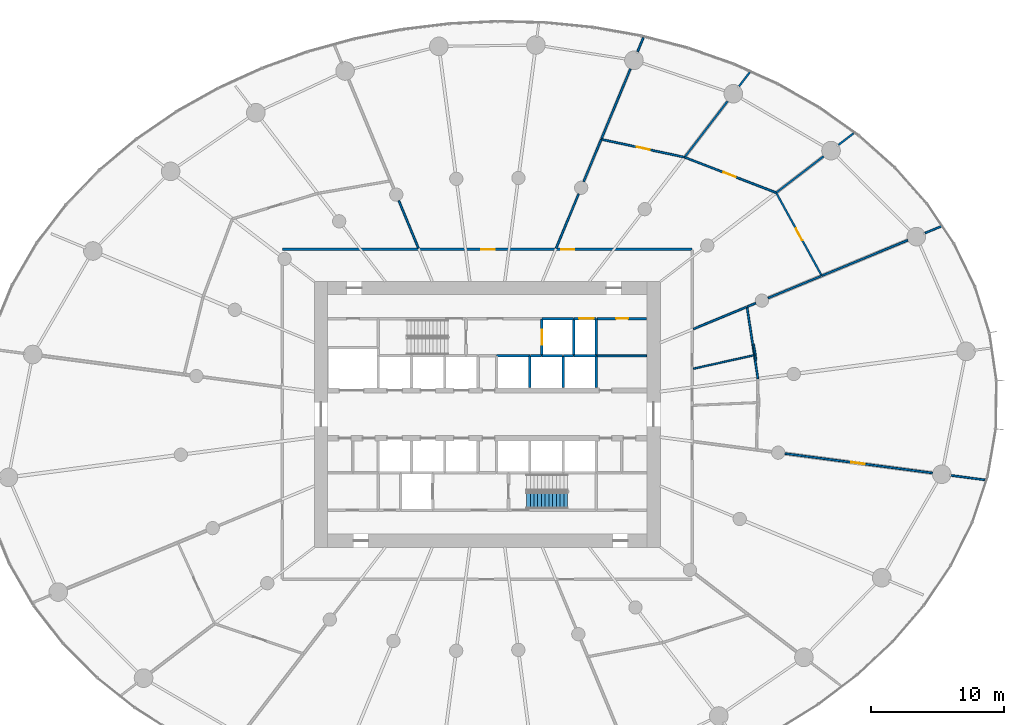
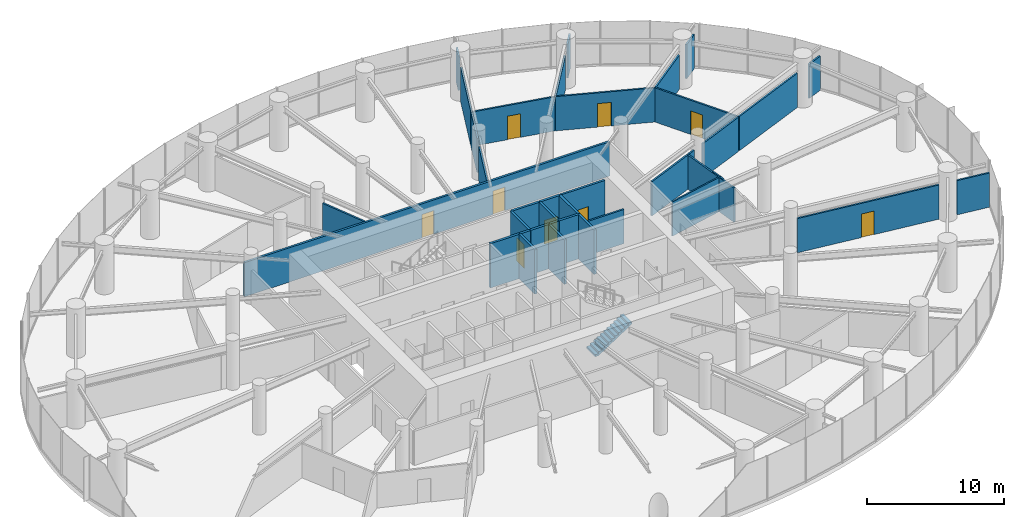
# One storey, part 15 of 19: 39 walls, 9 doors, 1 stair flight, 9 openings, 1 element without a shape of its own.
"""IFC4 building model written with IfcOpenShell, lengths in metres."""

from ifc_helpers import new_model, si_unit, direction, frame, frame_2d, origin, place, context, subcontext, project, spatial, line, indexed_curve, rectangle, outline, extrude, source, transform, mapped, material, layer, layer_set, type_object, element, fill, aggregate, save


model = new_model("IFC4")

# Units and contexts
model_context = context("Model", 3, precision=1e-05, world=origin(), true_north=direction((0.0, 1.0)))
body_context = subcontext(model_context, "Body", "Model", "MODEL_VIEW")
ifc_project = project(units=[si_unit("LENGTHUNIT", "METRE"), si_unit("AREAUNIT", "SQUARE_METRE"), si_unit("VOLUMEUNIT", "CUBIC_METRE"), si_unit("PLANEANGLEUNIT", "RADIAN"), si_unit("MASSUNIT", "GRAM", prefix="KILO")], contexts=[model_context])

# Site, building, storey
site_placement = place(None, origin())
site = spatial("IfcSite", under=ifc_project, at=site_placement, CompositionType="ELEMENT")
building_placement = place(site_placement, origin())
building = spatial("IfcBuilding", under=site, at=building_placement, Name="Spindrift Exchange Tower", CompositionType="ELEMENT")
storey_placement = place(building_placement, frame((0.0, 0.0, 31.39990234375)))
storey = spatial("IfcBuildingStorey", under=building, at=storey_placement, Name="L07", CompositionType="ELEMENT", Elevation=31.39990234375)

# Wall, opening, door
ifc_material_1 = material(Name="Fire-rated plasterboard partition", Category="gypsum")
ifc_layer_1 = layer(ifc_material_1, 0.179931640625)
ifc_layer_set_1 = layer_set([ifc_layer_1], Name="W-CORR-180")
wall_type_1 = type_object("IfcWallType", Name="W-CORR-180", PredefinedType="PARTITIONING", material=ifc_layer_set_1)
wall_1_placement = place(storey_placement, frame((63.97998046875, 55.199951171875, 0.0), z_axis=(0.0, 0.0, 1.0), x_axis=(-1.0, 0.0, 0.0)))
wall_1 = element("IfcWall", 1, at=wall_1_placement, inside=storey, type_object=wall_type_1, Name="L07 Partition wall 64", PredefinedType="PARTITIONING", context=body_context, shape_type="SweptSolid", body=[
    extrude(rectangle(XDim=3.75, YDim=0.179931640625, at=frame_2d((1.875, 0.0))), origin(), (0.0, 0.0, 1.0), 3.9501953125),
])
opening_1_placement = place(wall_1_placement, frame((1.39990234375, 0.0, 0.0)))
opening_1 = element("IfcOpeningElement", 2, at=opening_1_placement, cuts=wall_1, Name="Opening L07-D48", PredefinedType="OPENING", context=body_context, shape_type="SweptSolid", body=[
    extrude(rectangle(XDim=0.89990234375, YDim=2.10009765625, at=frame_2d((0.449951171875, 1.050048828125))), frame((0.0, 0.099853515625, 0.0), z_axis=(0.0, -1.0, 0.0), x_axis=(1.0, 0.0, 0.0)), (0.0, 0.0, 1.0), 0.199951171875),
])
ifc_material_2 = material(Name="Steel access door", Category="steel")
door_type_1 = type_object("IfcDoorType", Name="DR-RISER-900", OperationType="NOTDEFINED", PredefinedType="DOOR", material=ifc_material_2)
shared_shape_1 = source(origin(), body_context, "Body", "SweptSolid", [
    extrude(rectangle(XDim=0.89990234375, YDim=2.10009765625, at=frame_2d((0.449951171875, 1.050048828125))), frame((0.0, 0.02490234375, 0.0), z_axis=(0.0, -1.0, 0.0), x_axis=(1.0, 0.0, 0.0)), (0.0, 0.0, 1.0), 0.050048828125),
])
door_1_placement = place(opening_1_placement, origin())
door_1 = element("IfcDoor", 3, at=door_1_placement, inside=storey, type_object=door_type_1, Name="L07 Riser door 48", OperationType="SINGLE_SWING_RIGHT", OverallHeight=2.10009765625, OverallWidth=0.89990234375, PredefinedType="DOOR", context=body_context, shape_type="MappedRepresentation", body=[
    mapped(shared_shape_1, transform((0.0, 0.0, 0.0), scale=1.0)),
])
fill(opening_1, door_1)

ifc_layer_2 = layer(ifc_material_1, 0.139892578125)
ifc_layer_set_2 = layer_set([ifc_layer_2], Name="W-PART-140")
wall_type_2 = type_object("IfcWallType", Name="W-PART-140", PredefinedType="PARTITIONING", material=ifc_layer_set_2)
wall_2_placement = place(storey_placement, frame((74.36328125, 45.055908203125, 0.0), z_axis=(0.0, 0.0, 1.0), x_axis=(0.991443306772, -0.130538000051, 0.0)))
wall_2 = element("IfcWall", 4, at=wall_2_placement, inside=storey, type_object=wall_type_2, Name="L07 Partition wall 65", PredefinedType="PARTITIONING", context=body_context, shape_type="SweptSolid", body=[
    extrude(rectangle(XDim=11.1953125, YDim=0.139892578125, at=frame_2d((5.59765625, 0.0))), origin(), (0.0, 0.0, 1.0), 3.050048828125),
])
opening_2_placement = place(wall_2_placement, frame((5.050048828125, 0.0, 0.0)))
opening_2 = element("IfcOpeningElement", 5, at=opening_2_placement, cuts=wall_2, Name="Opening L07-D31", PredefinedType="OPENING", context=body_context, shape_type="SweptSolid", body=[
    extrude(rectangle(XDim=1.0, YDim=2.10009765625, at=frame_2d((0.5, 1.050048828125))), frame((0.0, 0.079833984375, 0.0), z_axis=(0.0, -1.0, 0.0), x_axis=(1.0, 0.0, 0.0)), (0.0, 0.0, 1.0), 0.159912109375),
])
ifc_material_3 = material(Name="Timber-core fire door", Category="wood")
door_type_2 = type_object("IfcDoorType", Name="DR-ROOM-1000", OperationType="NOTDEFINED", PredefinedType="DOOR", material=ifc_material_3)
shared_shape_2 = source(origin(), body_context, "Body", "SweptSolid", [
    extrude(rectangle(XDim=1.0, YDim=2.10009765625, at=frame_2d((0.5, 1.050048828125))), frame((0.0, 0.02490234375, 0.0), z_axis=(0.0, -1.0, 0.0), x_axis=(1.0, 0.0, 0.0)), (0.0, 0.0, 1.0), 0.050048828125),
])
door_2_placement = place(opening_2_placement, origin())
door_2 = element("IfcDoor", 6, at=door_2_placement, inside=storey, type_object=door_type_2, Name="L07 Door 31", OperationType="SINGLE_SWING_LEFT", OverallHeight=2.10009765625, OverallWidth=1.0, PredefinedType="DOOR", context=body_context, shape_type="MappedRepresentation", body=[
    mapped(shared_shape_2, transform((0.0, 0.0, 0.0), scale=1.0)),
])
fill(opening_2, door_2)

# Walls
wall_3_placement = place(storey_placement, frame((77.168212890625, 58.425048828125, 0.0), z_axis=(0.0, 0.0, 1.0), x_axis=(0.923883429162, 0.382674024883, 0.0)))
element("IfcWall", 7, at=wall_3_placement, inside=storey, type_object=wall_type_2, Name="L07 Partition wall 74", PredefinedType="PARTITIONING", context=body_context, shape_type="SweptSolid", body=[
    extrude(rectangle(XDim=6.959228515625, YDim=0.139892578125, at=frame_2d((3.4794921875, 0.0))), origin(), (0.0, 0.0, 1.0), 3.050048828125),
])
wall_4_placement = place(storey_placement, frame((60.5908203125, 68.739990234375, 0.0), z_axis=(0.0, 0.0, 1.0), x_axis=(0.382657084758, 0.923890445607, 0.0)))
element("IfcWall", 8, at=wall_4_placement, inside=storey, type_object=wall_type_2, Name="L07 Partition wall 83", PredefinedType="PARTITIONING", context=body_context, shape_type="SweptSolid", body=[
    extrude(rectangle(XDim=5.650146484375, YDim=0.139892578125, at=frame_2d((2.8251953125, 0.0))), origin(), (0.0, 0.0, 1.0), 3.050048828125),
])
wall_5_placement = place(storey_placement, frame((72.340576171875, 50.677978515625, 0.0), z_axis=(0.0, 0.0, 1.0), x_axis=(-0.149839757117, 0.988710294873, 0.0)))
element("IfcWall", 9, at=wall_5_placement, inside=storey, type_object=wall_type_2, Name="L07 Partition wall 86", PredefinedType="PARTITIONING", context=body_context, shape_type="SweptSolid", body=[
    extrude(rectangle(XDim=5.4697265625, YDim=0.139892578125, at=frame_2d((2.73486328125, 0.0))), origin(), (0.0, 0.0, 1.0), 3.050048828125),
])
wall_6_placement = place(storey_placement, frame((66.873779296875, 67.3837890625, 0.0), z_axis=(0.0, 0.0, 1.0), x_axis=(0.608760140139, 0.793354329274, 0.0)))
element("IfcWall", 10, at=wall_6_placement, inside=storey, type_object=wall_type_2, Name="L07 Partition wall 88", PredefinedType="PARTITIONING", context=body_context, shape_type="SweptSolid", body=[
    extrude(rectangle(XDim=5.239990234375, YDim=0.139892578125, at=frame_2d((2.6201171875, 0.0))), origin(), (0.0, 0.0, 1.0), 3.050048828125),
])
wall_7_placement = place(storey_placement, frame((73.735595703125, 64.678466796875, 0.0), z_axis=(0.0, 0.0, 1.0), x_axis=(0.793381815568, 0.608724317508, 0.0)))
element("IfcWall", 11, at=wall_7_placement, inside=storey, type_object=wall_type_2, Name="L07 Partition wall 94", PredefinedType="PARTITIONING", context=body_context, shape_type="SweptSolid", body=[
    extrude(rectangle(XDim=4.46337890625, YDim=0.139892578125, at=frame_2d((2.231689453125, 0.0))), origin(), (0.0, 0.0, 1.0), 3.050048828125),
])
wall_8_placement = place(storey_placement, frame((63.97998046875, 52.39990234375, 0.0), z_axis=(0.0, 0.0, 1.0), x_axis=(-1.0, 0.0, 0.0)))
element("IfcWall", 12, at=wall_8_placement, inside=storey, type_object=wall_type_2, Name="L07 Partition wall 99", PredefinedType="PARTITIONING", context=body_context, shape_type="SweptSolid", body=[
    extrude(rectangle(XDim=3.75, YDim=0.139892578125, at=frame_2d((1.875, 0.0))), origin(), (0.0, 0.0, 1.0), 3.050048828125),
])
wall_9_placement = place(storey_placement, frame((86.859375, 43.41064453125, 0.0), z_axis=(0.0, 0.0, 1.0), x_axis=(0.991441410766, -0.130552399509, 0.0)))
element("IfcWall", 13, at=wall_9_placement, inside=storey, type_object=wall_type_2, Name="L07 Partition wall 105", PredefinedType="PARTITIONING", context=body_context, shape_type="SweptSolid", body=[
    extrude(rectangle(XDim=2.58056640625, YDim=0.139892578125, at=frame_2d((1.290283203125, 0.0))), origin(), (0.0, 0.0, 1.0), 3.050048828125),
])
wall_10_placement = place(storey_placement, frame((78.394287109375, 68.253173828125, 0.0), z_axis=(0.0, 0.0, 1.0), x_axis=(0.793328341426, 0.608794006779, 0.0)))
element("IfcWall", 14, at=wall_10_placement, inside=storey, type_object=wall_type_2, Name="L07 Partition wall 113", PredefinedType="PARTITIONING", context=body_context, shape_type="SweptSolid", body=[
    extrude(rectangle(XDim=1.442138671875, YDim=0.139892578125, at=frame_2d((0.72119140625, 0.0))), origin(), (0.0, 0.0, 1.0), 3.050048828125),
])
wall_11_placement = place(storey_placement, frame((70.9208984375, 72.658447265625, 0.0), z_axis=(0.0, 0.0, 1.0), x_axis=(0.608845512284, 0.793288813845, 0.0)))
element("IfcWall", 15, at=wall_11_placement, inside=storey, type_object=wall_type_2, Name="L07 Partition wall 117", PredefinedType="PARTITIONING", context=body_context, shape_type="SweptSolid", body=[
    extrude(rectangle(XDim=1.3369140625, YDim=0.139892578125, at=frame_2d((0.66845703125, 0.0))), origin(), (0.0, 0.0, 1.0), 3.050048828125),
])
wall_12_placement = place(storey_placement, frame((84.900146484375, 61.627685546875, 0.0), z_axis=(0.0, 0.0, 1.0), x_axis=(0.923887406181, 0.382664423091, 0.0)))
element("IfcWall", 16, at=wall_12_placement, inside=storey, type_object=wall_type_2, Name="L07 Partition wall 121", PredefinedType="PARTITIONING", context=body_context, shape_type="SweptSolid", body=[
    extrude(rectangle(XDim=1.33349609375, YDim=0.139892578125, at=frame_2d((0.666748046875, 0.0))), origin(), (0.0, 0.0, 1.0), 3.050048828125),
])
wall_13_placement = place(storey_placement, frame((63.29248046875, 75.2626953125, 0.0), z_axis=(0.0, 0.0, 1.0), x_axis=(0.382813709002, 0.9238255594, 0.0)))
element("IfcWall", 17, at=wall_13_placement, inside=storey, type_object=wall_type_2, Name="L07 Partition wall 122", PredefinedType="PARTITIONING", context=body_context, shape_type="SweptSolid", body=[
    extrude(rectangle(XDim=1.1357421875, YDim=0.139892578125, at=frame_2d((0.56787109375, 0.0))), origin(), (0.0, 0.0, 1.0), 3.050048828125),
])

# Wall, opening, door
ifc_layer_3 = layer(ifc_material_1, 0.139892578125)
ifc_layer_set_3 = layer_set([ifc_layer_3], Name="W-PLANT-140")
wall_type_3 = type_object("IfcWallType", Name="W-PLANT-140", PredefinedType="PARTITIONING", material=ifc_layer_set_3)
wall_14_placement = place(storey_placement, frame((66.829345703125, 67.325927734375, 0.0), z_axis=(0.0, 0.0, 1.0), x_axis=(0.932497314738, -0.361176906801, 0.0)))
wall_14 = element("IfcWall", 18, at=wall_14_placement, inside=storey, type_object=wall_type_3, Name="L07 Partition wall 70", PredefinedType="PARTITIONING", context=body_context, shape_type="SweptSolid", body=[
    extrude(rectangle(XDim=7.380859375, YDim=0.139892578125, at=frame_2d((3.6904296875, 0.0))), origin(), (0.0, 0.0, 1.0), 3.050048828125),
])
opening_3_placement = place(wall_14_placement, frame((3.130859375, 0.0, 0.0)))
opening_3 = element("IfcOpeningElement", 19, at=opening_3_placement, cuts=wall_14, Name="Opening L07-D29", PredefinedType="OPENING", context=body_context, shape_type="SweptSolid", body=[
    extrude(rectangle(XDim=1.0, YDim=2.10009765625, at=frame_2d((0.5, 1.050048828125))), frame((0.0, 0.079833984375, 0.0), z_axis=(0.0, -1.0, 0.0), x_axis=(1.0, 0.0, 0.0)), (0.0, 0.0, 1.0), 0.159912109375),
])
door_3_placement = place(opening_3_placement, origin())
door_3 = element("IfcDoor", 20, at=door_3_placement, inside=storey, type_object=door_type_2, Name="L07 Door 29", OperationType="SINGLE_SWING_LEFT", OverallHeight=2.10009765625, OverallWidth=1.0, PredefinedType="DOOR", context=body_context, shape_type="MappedRepresentation", body=[
    mapped(shared_shape_2, transform((0.0, 0.0, 0.0), scale=1.0)),
])
fill(opening_3, door_3)

wall_15_placement = place(storey_placement, frame((73.726318359375, 64.6337890625, 0.0), z_axis=(0.0, 0.0, 1.0), x_axis=(0.481181569965, -0.876620953848, 0.0)))
wall_15 = element("IfcWall", 21, at=wall_15_placement, inside=storey, type_object=wall_type_3, Name="L07 Partition wall 71", PredefinedType="PARTITIONING", context=body_context, shape_type="SweptSolid", body=[
    extrude(rectangle(XDim=7.095703125, YDim=0.139892578125, at=frame_2d((3.5478515625, 0.0))), origin(), (0.0, 0.0, 1.0), 3.050048828125),
])
opening_4_placement = place(wall_15_placement, frame((3.045654296875, 0.0, 0.0)))
opening_4 = element("IfcOpeningElement", 22, at=opening_4_placement, cuts=wall_15, Name="Opening L07-D28", PredefinedType="OPENING", context=body_context, shape_type="SweptSolid", body=[
    extrude(rectangle(XDim=1.0, YDim=2.10009765625, at=frame_2d((0.5, 1.050048828125))), frame((0.0, 0.079833984375, 0.0), z_axis=(0.0, -1.0, 0.0), x_axis=(1.0, 0.0, 0.0)), (0.0, 0.0, 1.0), 0.159912109375),
])
door_4_placement = place(opening_4_placement, origin())
door_4 = element("IfcDoor", 23, at=door_4_placement, inside=storey, type_object=door_type_2, Name="L07 Door 28", OperationType="SINGLE_SWING_RIGHT", OverallHeight=2.10009765625, OverallWidth=1.0, PredefinedType="DOOR", context=body_context, shape_type="MappedRepresentation", body=[
    mapped(shared_shape_2, transform((0.0, 0.0, 0.0), scale=1.0)),
])
fill(opening_4, door_4)

wall_16_placement = place(storey_placement, frame((60.5634765625, 68.67431640625, 0.0), z_axis=(0.0, 0.0, 1.0), x_axis=(0.977621151311, -0.210373202926, 0.0)))
wall_16 = element("IfcWall", 24, at=wall_16_placement, inside=storey, type_object=wall_type_3, Name="L07 Partition wall 78", PredefinedType="PARTITIONING", context=body_context, shape_type="SweptSolid", body=[
    extrude(rectangle(XDim=6.37939453125, YDim=0.139892578125, at=frame_2d((3.189697265625, 0.0))), origin(), (0.0, 0.0, 1.0), 3.050048828125),
])
opening_5_placement = place(wall_16_placement, frame((2.729248046875, 0.0, 0.0)))
opening_5 = element("IfcOpeningElement", 25, at=opening_5_placement, cuts=wall_16, Name="Opening L07-D30", PredefinedType="OPENING", context=body_context, shape_type="SweptSolid", body=[
    extrude(rectangle(XDim=1.0, YDim=2.10009765625, at=frame_2d((0.5, 1.050048828125))), frame((0.0, 0.079833984375, 0.0), z_axis=(0.0, -1.0, 0.0), x_axis=(1.0, 0.0, 0.0)), (0.0, 0.0, 1.0), 0.159912109375),
])
door_5_placement = place(opening_5_placement, origin())
door_5 = element("IfcDoor", 26, at=door_5_placement, inside=storey, type_object=door_type_2, Name="L07 Door 30", OperationType="SINGLE_SWING_RIGHT", OverallHeight=2.10009765625, OverallWidth=1.0, PredefinedType="DOOR", context=body_context, shape_type="MappedRepresentation", body=[
    mapped(shared_shape_2, transform((0.0, 0.0, 0.0), scale=1.0)),
])
fill(opening_5, door_5)

# Walls
wall_17_placement = place(storey_placement, frame((57.173583984375, 60.489990234375, 0.0), z_axis=(0.0, 0.0, 1.0), x_axis=(0.382672831764, 0.923883923353, 0.0)))
element("IfcWall", 27, at=wall_17_placement, inside=storey, type_object=wall_type_3, Name="L07 Partition wall 93", PredefinedType="PARTITIONING", context=body_context, shape_type="SweptSolid", body=[
    extrude(rectangle(XDim=4.410400390625, YDim=0.139892578125, at=frame_2d((2.205078125, 0.0))), origin(), (0.0, 0.0, 1.0), 3.050048828125),
])
wall_18_placement = place(storey_placement, frame((67.489990234375, 54.416259765625, 0.0), z_axis=(0.0, 0.0, 1.0), x_axis=(0.923879529007, 0.382683440824, 0.0)))
element("IfcWall", 28, at=wall_18_placement, inside=storey, type_object=wall_type_3, Name="L07 Partition wall 95", PredefinedType="PARTITIONING", context=body_context, shape_type="SweptSolid", body=[
    extrude(rectangle(XDim=4.291015625, YDim=0.139892578125, at=frame_2d((2.1455078125, 0.0))), origin(), (0.0, 0.0, 1.0), 3.050048828125),
])
wall_19_placement = place(storey_placement, frame((73.10595703125, 56.7421875, 0.0), z_axis=(0.0, 0.0, 1.0), x_axis=(0.9238617037, 0.382726472086, 0.0)))
element("IfcWall", 29, at=wall_19_placement, inside=storey, type_object=wall_type_3, Name="L07 Partition wall 96", PredefinedType="PARTITIONING", context=body_context, shape_type="SweptSolid", body=[
    extrude(rectangle(XDim=4.296875, YDim=0.139892578125, at=frame_2d((2.1484375, 0.0))), origin(), (0.0, 0.0, 1.0), 3.050048828125),
])
wall_20_placement = place(storey_placement, frame((46.826416015625, 60.489990234375, 0.0), z_axis=(0.0, 0.0, 1.0), x_axis=(-0.382644558062, 0.923895633817, 0.0)))
element("IfcWall", 30, at=wall_20_placement, inside=storey, type_object=wall_type_3, Name="L07 Partition wall 98", PredefinedType="PARTITIONING", context=body_context, shape_type="SweptSolid", body=[
    extrude(rectangle(XDim=3.854248046875, YDim=0.139892578125, at=frame_2d((1.92724609375, 0.0))), origin(), (0.0, 0.0, 1.0), 3.050048828125),
])
wall_21_placement = place(storey_placement, frame((59.247802734375, 65.497802734375, 0.0), z_axis=(0.0, 0.0, 1.0), x_axis=(0.382676564955, 0.923882377056, 0.0)))
element("IfcWall", 31, at=wall_21_placement, inside=storey, type_object=wall_type_3, Name="L07 Partition wall 100", PredefinedType="PARTITIONING", context=body_context, shape_type="SweptSolid", body=[
    extrude(rectangle(XDim=3.408203125, YDim=0.139892578125, at=frame_2d((1.7041015625, 0.0))), origin(), (0.0, 0.0, 1.0), 3.050048828125),
])
wall_22_placement = place(storey_placement, frame((71.548583984375, 56.097412109375, 0.0), z_axis=(0.0, 0.0, 1.0), x_axis=(0.923972786695, 0.382458219219, 0.0)))
element("IfcWall", 32, at=wall_22_placement, inside=storey, type_object=wall_type_3, Name="L07 Partition wall 124", PredefinedType="PARTITIONING", context=body_context, shape_type="SweptSolid", body=[
    extrude(rectangle(XDim=0.67529296875, YDim=0.139892578125, at=frame_2d((0.337646484375, 0.0))), origin(), (0.0, 0.0, 1.0), 3.050048828125),
])

# Wall, openings, doors
ifc_layer_4 = layer(ifc_material_1, 0.179931640625)
ifc_layer_set_4 = layer_set([ifc_layer_4], Name="W-PLANT-180")
wall_type_4 = type_object("IfcWallType", Name="W-PLANT-180", PredefinedType="PARTITIONING", material=ifc_layer_set_4)
wall_23_placement = place(storey_placement, frame((36.60009765625, 60.39990234375, 0.0), z_axis=(0.0, 0.0, 1.0), x_axis=(1.0, 0.0, 0.0)))
wall_23 = element("IfcWall", 33, at=wall_23_placement, inside=storey, type_object=wall_type_4, Name="L07 Partition wall 58", PredefinedType="PARTITIONING", context=body_context, shape_type="SweptSolid", body=[
    extrude(rectangle(XDim=30.7998046875, YDim=0.179931640625, at=frame_2d((15.39990234375, 0.0))), origin(), (0.0, 0.0, 1.0), 3.050048828125),
])
opening_6_placement = place(wall_23_placement, frame((20.949951171875, 0.0, 0.0)))
opening_6 = element("IfcOpeningElement", 34, at=opening_6_placement, cuts=wall_23, Name="Opening L07-D27", PredefinedType="OPENING", context=body_context, shape_type="SweptSolid", body=[
    extrude(rectangle(XDim=1.0, YDim=2.10009765625, at=frame_2d((0.5, 1.050048828125))), frame((0.0, 0.099853515625, 0.0), z_axis=(0.0, -1.0, 0.0), x_axis=(1.0, 0.0, 0.0)), (0.0, 0.0, 1.0), 0.199951171875),
])
opening_7_placement = place(wall_23_placement, frame((14.949951171875, 0.0, 0.0)))
opening_7 = element("IfcOpeningElement", 35, at=opening_7_placement, cuts=wall_23, Name="Opening L07-D32", PredefinedType="OPENING", context=body_context, shape_type="SweptSolid", body=[
    extrude(rectangle(XDim=1.0, YDim=2.10009765625, at=frame_2d((0.5, 1.050048828125))), frame((0.0, 0.099853515625, 0.0), z_axis=(0.0, -1.0, 0.0), x_axis=(1.0, 0.0, 0.0)), (0.0, 0.0, 1.0), 0.199951171875),
])
door_6_placement = place(opening_6_placement, origin())
door_6 = element("IfcDoor", 36, at=door_6_placement, inside=storey, type_object=door_type_2, Name="L07 Door 27", OperationType="SINGLE_SWING_LEFT", OverallHeight=2.10009765625, OverallWidth=1.0, PredefinedType="DOOR", context=body_context, shape_type="MappedRepresentation", body=[
    mapped(shared_shape_2, transform((0.0, 0.0, 0.0), scale=1.0)),
])
fill(opening_6, door_6)
door_7_placement = place(opening_7_placement, origin())
door_7 = element("IfcDoor", 37, at=door_7_placement, inside=storey, type_object=door_type_2, Name="L07 Door 32", OperationType="SINGLE_SWING_RIGHT", OverallHeight=2.10009765625, OverallWidth=1.0, PredefinedType="DOOR", context=body_context, shape_type="MappedRepresentation", body=[
    mapped(shared_shape_2, transform((0.0, 0.0, 0.0), scale=1.0)),
])
fill(opening_7, door_7)

# Wall, opening, door
ifc_material_4 = material(Name="Concrete 40 MPa", Category="concrete")
ifc_layer_5 = layer(ifc_material_4, 0.199951171875)
ifc_layer_set_5 = layer_set([ifc_layer_5], Name="W-SHAFT-200")
wall_type_5 = type_object("IfcWallType", Name="W-SHAFT-200", PredefinedType="SOLIDWALL", material=ifc_layer_set_5)
wall_24_placement = place(storey_placement, frame((56.10009765625, 55.169921875, 0.0), z_axis=(0.0, 0.0, 1.0), x_axis=(0.0, -1.0, 0.0)))
wall_24 = element("IfcWall", 38, at=wall_24_placement, inside=storey, type_object=wall_type_5, Name="L07 Shaft wall 12", PredefinedType="SOLIDWALL", context=body_context, shape_type="SweptSolid", body=[
    extrude(rectangle(XDim=2.77001953125, YDim=0.199951171875, at=frame_2d((1.385009765625, 0.0))), origin(), (0.0, 0.0, 1.0), 3.9501953125),
])
opening_8_placement = place(wall_24_placement, frame((0.820068359375, 0.0, 0.0)))
opening_8 = element("IfcOpeningElement", 39, at=opening_8_placement, cuts=wall_24, Name="Opening L07-D9", PredefinedType="OPENING", context=body_context, shape_type="SweptSolid", body=[
    extrude(rectangle(XDim=1.10009765625, YDim=2.10009765625, at=frame_2d((0.550048828125, 1.050048828125))), frame((0.0, 0.10986328125, 0.0), z_axis=(0.0, -1.0, 0.0), x_axis=(1.0, 0.0, 0.0)), (0.0, 0.0, 1.0), 0.219970703125),
])
ifc_material_5 = material(Name="Stainless steel landing door", Category="steel")
door_type_3 = type_object("IfcDoorType", Name="DR-LANDING-1100-SL", OperationType="DOUBLE_DOOR_SLIDING", PredefinedType="USERDEFINED", material=ifc_material_5)
shared_shape_3 = source(origin(), body_context, "Body", "SweptSolid", [
    extrude(rectangle(XDim=1.10009765625, YDim=2.10009765625, at=frame_2d((0.550048828125, 1.050048828125))), frame((0.0, 0.02490234375, 0.0), z_axis=(0.0, -1.0, 0.0), x_axis=(1.0, 0.0, 0.0)), (0.0, 0.0, 1.0), 0.050048828125),
])
door_8_placement = place(opening_8_placement, origin())
door_8 = element("IfcDoor", 40, at=door_8_placement, inside=storey, type_object=door_type_3, Name="L07 Lift landing door 9", ObjectType="LANDING DOOR", OperationType="DOUBLE_DOOR_SLIDING", OverallHeight=2.10009765625, OverallWidth=1.10009765625, PredefinedType="USERDEFINED", context=body_context, shape_type="MappedRepresentation", body=[
    mapped(shared_shape_3, transform((0.0, 0.0, 0.0), scale=1.0)),
])
fill(opening_8, door_8)

# Walls
for number, where, z_axis, x_axis, name in (
    (41, (58.5, 52.39990234375, 0.0), (0.0, 0.0, 1.0), (0.0, 1.0, 0.0), "L07 Shaft wall 13"),
    (42, (60.199951171875, 52.39990234375, 0.0), (0.0, 0.0, 1.0), (0.0, 1.0, 0.0), "L07 Shaft wall 14"),
):
    element("IfcWall", number, at=place(storey_placement, frame(where, z_axis=z_axis, x_axis=x_axis)), inside=storey, type_object=wall_type_5, Name=name, PredefinedType="SOLIDWALL", context=body_context, shape_type="SweptSolid", body=[
        extrude(rectangle(XDim=2.800048828125, YDim=0.199951171875, at=frame_2d((1.39990234375, 0.0))), origin(), (0.0, 0.0, 1.0), 3.9501953125),
    ])
wall_25_placement = place(storey_placement, frame((55.199951171875, 52.39990234375, 0.0), z_axis=(0.0, 0.0, 1.0), x_axis=(-1.0, 0.0, 0.0)))
element("IfcWall", 43, at=wall_25_placement, inside=storey, type_object=wall_type_5, Name="L07 Shaft wall 18", PredefinedType="SOLIDWALL", context=body_context, shape_type="SweptSolid", body=[
    extrude(rectangle(XDim=2.5, YDim=0.199951171875, at=frame_2d((1.25, 0.0))), origin(), (0.0, 0.0, 1.0), 3.9501953125),
])
wall_26_placement = place(storey_placement, frame((58.469970703125, 55.199951171875, 0.0), z_axis=(0.0, 0.0, 1.0), x_axis=(-1.0, 0.0, 0.0)))
element("IfcWall", 44, at=wall_26_placement, inside=storey, type_object=wall_type_5, Name="L07 Shaft wall 22", PredefinedType="SOLIDWALL", context=body_context, shape_type="SweptSolid", body=[
    extrude(rectangle(XDim=2.340087890625, YDim=0.199951171875, at=frame_2d((1.169921875, 0.0))), origin(), (0.0, 0.0, 1.0), 3.9501953125),
])
wall_27_placement = place(storey_placement, frame((55.199951171875, 50.010009765625, 0.0), z_axis=(0.0, 0.0, 1.0), x_axis=(0.0, 1.0, 0.0)))
element("IfcWall", 45, at=wall_27_placement, inside=storey, type_object=wall_type_5, Name="L07 Shaft wall 34", PredefinedType="SOLIDWALL", context=body_context, shape_type="SweptSolid", body=[
    extrude(rectangle(XDim=2.360107421875, YDim=0.199951171875, at=frame_2d((1.18017578125, 0.0))), origin(), (0.0, 0.0, 1.0), 3.9501953125),
])
wall_28_placement = place(storey_placement, frame((57.699951171875, 50.010009765625, 0.0), z_axis=(0.0, 0.0, 1.0), x_axis=(0.0, 1.0, 0.0)))
element("IfcWall", 46, at=wall_28_placement, inside=storey, type_object=wall_type_5, Name="L07 Shaft wall 36", PredefinedType="SOLIDWALL", context=body_context, shape_type="SweptSolid", body=[
    extrude(rectangle(XDim=2.389892578125, YDim=0.199951171875, at=frame_2d((1.19482421875, 0.0))), origin(), (0.0, 0.0, 1.0), 3.9501953125),
])
wall_29_placement = place(storey_placement, frame((60.199951171875, 50.010009765625, 0.0), z_axis=(0.0, 0.0, 1.0), x_axis=(0.0, 1.0, 0.0)))
element("IfcWall", 47, at=wall_29_placement, inside=storey, type_object=wall_type_5, Name="L07 Shaft wall 38", PredefinedType="SOLIDWALL", context=body_context, shape_type="SweptSolid", body=[
    extrude(rectangle(XDim=2.360107421875, YDim=0.199951171875, at=frame_2d((1.18017578125, 0.0))), origin(), (0.0, 0.0, 1.0), 3.9501953125),
])
wall_30_placement = place(storey_placement, frame((60.169921875, 52.39990234375, 0.0), z_axis=(0.0, 0.0, 1.0), x_axis=(-1.0, 0.0, 0.0)))
element("IfcWall", 48, at=wall_30_placement, inside=storey, type_object=wall_type_5, Name="L07 Shaft wall 42", PredefinedType="SOLIDWALL", context=body_context, shape_type="SweptSolid", body=[
    extrude(rectangle(XDim=1.639892578125, YDim=0.199951171875, at=frame_2d((0.81982421875, 0.0))), origin(), (0.0, 0.0, 1.0), 3.9501953125),
])

# Wall, opening, door
wall_31_placement = place(storey_placement, frame((60.169921875, 55.199951171875, 0.0), z_axis=(0.0, 0.0, 1.0), x_axis=(-1.0, 0.0, 0.0)))
wall_31 = element("IfcWall", 49, at=wall_31_placement, inside=storey, type_object=wall_type_5, Name="L07 Shaft wall 43", PredefinedType="SOLIDWALL", context=body_context, shape_type="SweptSolid", body=[
    extrude(rectangle(XDim=1.639892578125, YDim=0.199951171875, at=frame_2d((0.81982421875, 0.0))), origin(), (0.0, 0.0, 1.0), 3.9501953125),
])
opening_9_placement = place(wall_31_placement, frame((0.169921875, 0.0, 0.0)))
opening_9 = element("IfcOpeningElement", 50, at=opening_9_placement, cuts=wall_31, Name="Opening L07-D11", PredefinedType="OPENING", context=body_context, shape_type="SweptSolid", body=[
    extrude(rectangle(XDim=1.10009765625, YDim=2.10009765625, at=frame_2d((0.550048828125, 1.050048828125))), frame((0.0, 0.10986328125, 0.0), z_axis=(0.0, -1.0, 0.0), x_axis=(1.0, 0.0, 0.0)), (0.0, 0.0, 1.0), 0.219970703125),
])
door_9_placement = place(opening_9_placement, origin())
door_9 = element("IfcDoor", 51, at=door_9_placement, inside=storey, type_object=door_type_3, Name="L07 Lift landing door 11", ObjectType="LANDING DOOR", OperationType="DOUBLE_DOOR_SLIDING", OverallHeight=2.10009765625, OverallWidth=1.10009765625, PredefinedType="USERDEFINED", context=body_context, shape_type="MappedRepresentation", body=[
    mapped(shared_shape_3, transform((0.0, 0.0, 0.0), scale=1.0)),
])
fill(opening_9, door_9)

# Walls
wall_32_placement = place(storey_placement, frame((57.669921875, 52.39990234375, 0.0), z_axis=(0.0, 0.0, 1.0), x_axis=(-1.0, 0.0, 0.0)))
element("IfcWall", 52, at=wall_32_placement, inside=storey, type_object=wall_type_5, Name="L07 Shaft wall 47", PredefinedType="SOLIDWALL", context=body_context, shape_type="SweptSolid", body=[
    extrude(rectangle(XDim=1.5400390625, YDim=0.199951171875, at=frame_2d((0.77001953125, 0.0))), origin(), (0.0, 0.0, 1.0), 3.9501953125),
])
wall_33_placement = place(storey_placement, frame((56.070068359375, 52.39990234375, 0.0), z_axis=(0.0, 0.0, 1.0), x_axis=(-1.0, 0.0, 0.0)))
element("IfcWall", 53, at=wall_33_placement, inside=storey, type_object=wall_type_5, Name="L07 Shaft wall 53", PredefinedType="SOLIDWALL", context=body_context, shape_type="SweptSolid", body=[
    extrude(rectangle(XDim=0.840087890625, YDim=0.199951171875, at=frame_2d((0.419921875, 0.0))), origin(), (0.0, 0.0, 1.0), 3.9501953125),
])
wall_34_placement = place(storey_placement, frame((58.469970703125, 52.39990234375, 0.0), z_axis=(0.0, 0.0, 1.0), x_axis=(-1.0, 0.0, 0.0)))
element("IfcWall", 54, at=wall_34_placement, inside=storey, type_object=wall_type_5, Name="L07 Shaft wall 55", PredefinedType="SOLIDWALL", context=body_context, shape_type="SweptSolid", body=[
    extrude(rectangle(XDim=0.739990234375, YDim=0.199951171875, at=frame_2d((0.3701171875, 0.0))), origin(), (0.0, 0.0, 1.0), 3.9501953125),
])
ifc_layer_6 = layer(ifc_material_1, 0.1201171875)
ifc_layer_set_6 = layer_set([ifc_layer_6], Name="W-WET-120")
wall_type_6 = type_object("IfcWallType", Name="W-WET-120", PredefinedType="PARTITIONING", material=ifc_layer_set_6)
wall_35_placement = place(storey_placement, frame((67.489990234375, 51.43408203125, 0.0), z_axis=(0.0, 0.0, 1.0), x_axis=(0.976290083799, 0.216466330583, 0.0)))
element("IfcWall", 55, at=wall_35_placement, inside=storey, type_object=wall_type_6, Name="L07 Partition wall 128", PredefinedType="PARTITIONING", context=body_context, shape_type="SweptSolid", body=[
    extrude(rectangle(XDim=4.623046875, YDim=0.1201171875, at=frame_2d((2.3115234375, 0.0))), origin(), (0.0, 0.0, 1.0), 3.050048828125),
])
wall_36_placement = place(storey_placement, frame((72.160400390625, 52.469482421875, 0.0), z_axis=(0.0, 0.0, 1.0), x_axis=(-0.174002939191, 0.984745133094, 0.0)))
element("IfcWall", 56, at=wall_36_placement, inside=storey, type_object=wall_type_6, Name="L07 Partition wall 129", PredefinedType="PARTITIONING", context=body_context, shape_type="SweptSolid", body=[
    extrude(rectangle(XDim=0.83203125, YDim=0.1201171875, at=frame_2d((0.416015625, 0.0))), origin(), (0.0, 0.0, 1.0), 3.050048828125),
])
wall_37_placement = place(storey_placement, frame((72.201416015625, 52.0634765625, 0.0), z_axis=(0.0, 0.0, 1.0), x_axis=(-0.100079053059, 0.994979488803, 0.0)))
element("IfcWall", 57, at=wall_37_placement, inside=storey, type_object=wall_type_6, Name="L07 Partition wall 131", PredefinedType="PARTITIONING", context=body_context, shape_type="SweptSolid", body=[
    extrude(rectangle(XDim=0.378173828125, YDim=0.1201171875, at=frame_2d((0.18896484375, 0.0))), origin(), (0.0, 0.0, 1.0), 3.050048828125),
])

# Stair, stair flight
ifc_material_6 = material(Name="Concrete 50 MPa", Category="concrete")
stair_type = type_object("IfcStairType", Name="ST-1250-R183", PredefinedType="HALF_TURN_STAIR", material=ifc_material_6)
stair_placement = place(storey_placement, origin())
stair = element("IfcStair", 58, at=stair_placement, inside=storey, type_object=stair_type, Name="L07 Exit stair ST2", PredefinedType="HALF_TURN_STAIR")
stair_flight_type = type_object("IfcStairFlightType", Name="STF-1250-R183", PredefinedType="STRAIGHT", material=ifc_material_6)
stair_flight_placement = place(storey_placement, frame((54.949951171875, 41.52490234375, 0.0), z_axis=(0.0, 0.0, 1.0), x_axis=(1.0, 0.0, 0.0)))
stair_flight = element("IfcStairFlight", 59, at=stair_flight_placement, type_object=stair_flight_type, Name="ST2 flight 1", NumberOfRisers=12, NumberOfTreads=11, PredefinedType="STRAIGHT", RiserHeight=0.183333333, TreadLength=0.28, context=body_context, shape_type="SweptSolid", body=[
    extrude(outline(indexed_curve([(0.0, 0.0), (0.0, 0.18359375), (0.2802734375, 0.18359375), (0.2802734375, 0.3662109375), (0.5595703125, 0.3662109375), (0.5595703125, 0.5498046875), (0.83984375, 0.5498046875), (0.83984375, 0.7333984375), (1.1201171875, 0.7333984375), (1.1201171875, 0.9169921875), (1.400390625, 0.9169921875), (1.400390625, 1.099609375), (1.6796875, 1.099609375), (1.6796875, 1.283203125), (1.9599609375, 1.283203125), (1.9599609375, 1.466796875), (2.240234375, 1.466796875), (2.240234375, 1.650390625), (2.51953125, 1.650390625), (2.51953125, 1.8330078125), (2.7998046875, 1.8330078125), (2.7998046875, 2.0166015625), (3.080078125, 2.0166015625), (3.080078125, 2.2001953125), (3.080078125, 1.837890625), (0.2734375, 0.0)], segments=[line(1, 2, 3, 4, 5, 6, 7, 8, 9, 10, 11, 12, 13, 14, 15, 16, 17, 18, 19, 20, 21, 22, 23, 24, 25, 26, 1)], self_intersect=False)), frame((0.0, 0.625, 0.0), z_axis=(0.0, -1.0, 0.0), x_axis=(1.0, 0.0, 0.0)), (0.0, 0.0, 1.0), 1.25),
])
aggregate(stair, [stair_flight])

save(model, "model.ifc")
